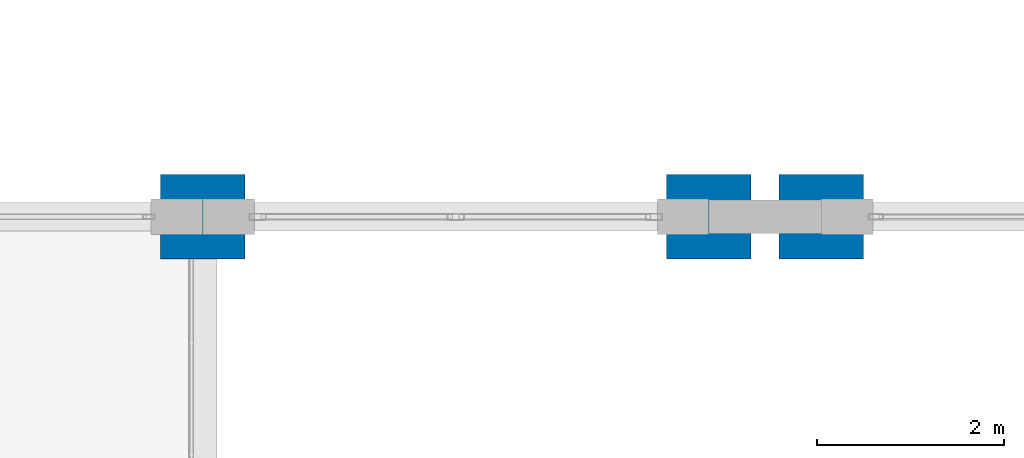
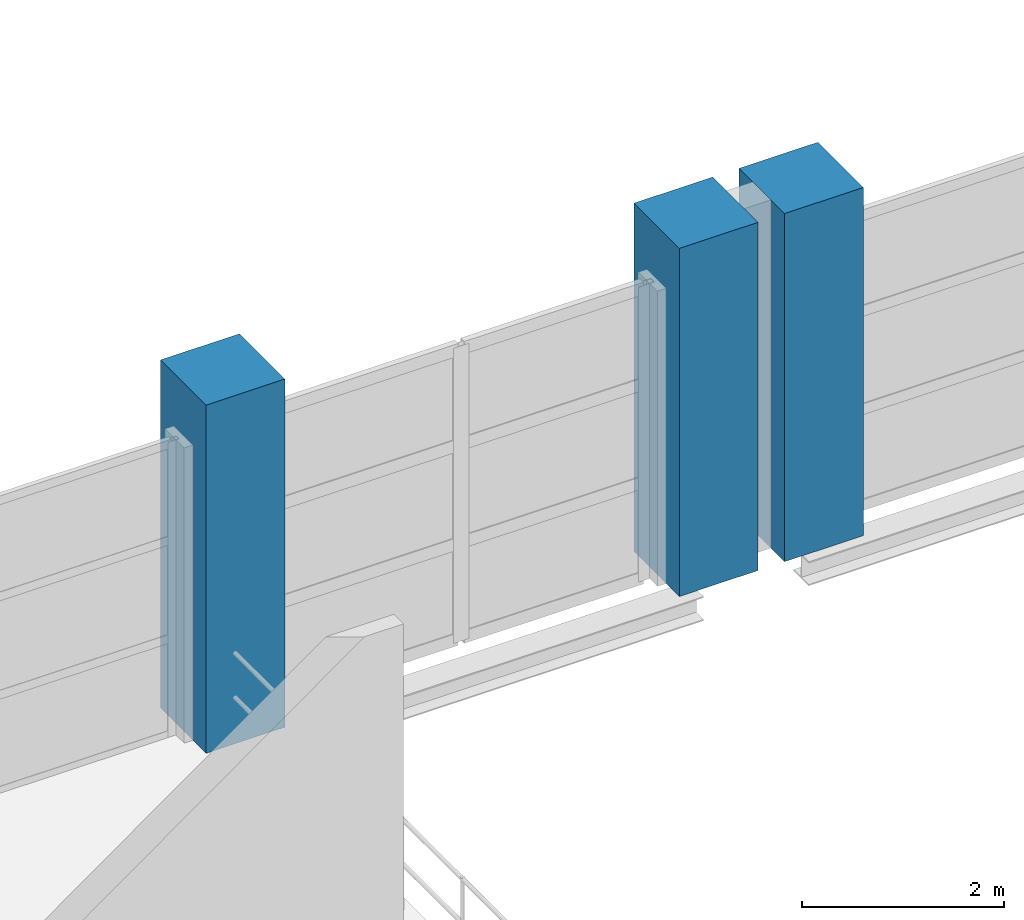
# One storey, part 7 of 158: 3 columns.
"""IFC4 building model written with IfcOpenShell, lengths in metres."""

from ifc_helpers import new_model, si_unit, direction, frame, origin, origin_2d, place, context, subcontext, project, spatial, rectangle, extrude, material, material_profile, profile_set, type_object, element, save


model = new_model("IFC4")

# Units and contexts
model_context = context("Model", 3, precision=1e-05, world=origin(), true_north=direction((0.0, 1.0)))
body_context = subcontext(model_context, "Body", "Model", "MODEL_VIEW")
ifc_project = project(units=[si_unit("LENGTHUNIT", "METRE"), si_unit("AREAUNIT", "SQUARE_METRE"), si_unit("VOLUMEUNIT", "CUBIC_METRE"), si_unit("PLANEANGLEUNIT", "RADIAN"), si_unit("MASSUNIT", "GRAM", prefix="KILO")], contexts=[model_context])

# Site, building, storey
site_placement = place(None, origin())
site = spatial("IfcSite", under=ifc_project, at=site_placement, CompositionType="ELEMENT")
building_placement = place(site_placement, origin())
building = spatial("IfcBuilding", under=site, at=building_placement, Name="Zilviju Railside Exhibition Hall", CompositionType="ELEMENT")
storey_placement = place(building_placement, frame((0.0, 0.0, 4.199951171875)))
storey = spatial("IfcBuildingStorey", under=building, at=storey_placement, Name="L02", CompositionType="ELEMENT", Elevation=4.199951171875)

# Columns
ifc_material = material(Name="Concrete C40/50", Category="concrete")
ifc_material_profile = material_profile(ifc_material, rectangle(XDim=0.89990234375, YDim=0.89990234375, at=origin_2d()), Name="RC COL 900x900")
ifc_profile_set = profile_set([ifc_material_profile], Name="Concrete C40/50")
column_type = type_object("IfcColumnType", Name="COL-RC-900", PredefinedType="COLUMN", material=ifc_profile_set)
for number, where, z_axis, x_axis, name in (
    (1, (120.0, 54.0, 0.0), (0.0, 0.0, 1.0), (1.0, 0.0, 0.0), "Structural Column L02 (120.0, 54.0)"),
    (2, (125.39990234375, 54.0, 0.0), (0.0, 0.0, 1.0), (1.0, 0.0, 0.0), "Structural Column L02 (125.4, 54.0)"),
    (3, (126.60009765625, 54.0, 0.0), (0.0, 0.0, 1.0), (1.0, 0.0, 0.0), "Structural Column L02 (126.6, 54.0)"),
):
    element("IfcColumn", number, at=place(storey_placement, frame(where, z_axis=z_axis, x_axis=x_axis)), inside=storey, type_object=column_type, Name=name, PredefinedType="COLUMN", context=body_context, shape_type="SweptSolid", body=[
        extrude(rectangle(XDim=0.89990234375, YDim=0.89990234375, at=origin_2d()), origin(), (0.0, 0.0, 1.0), 4.199951171875),
    ])

save(model, "model.ifc")
